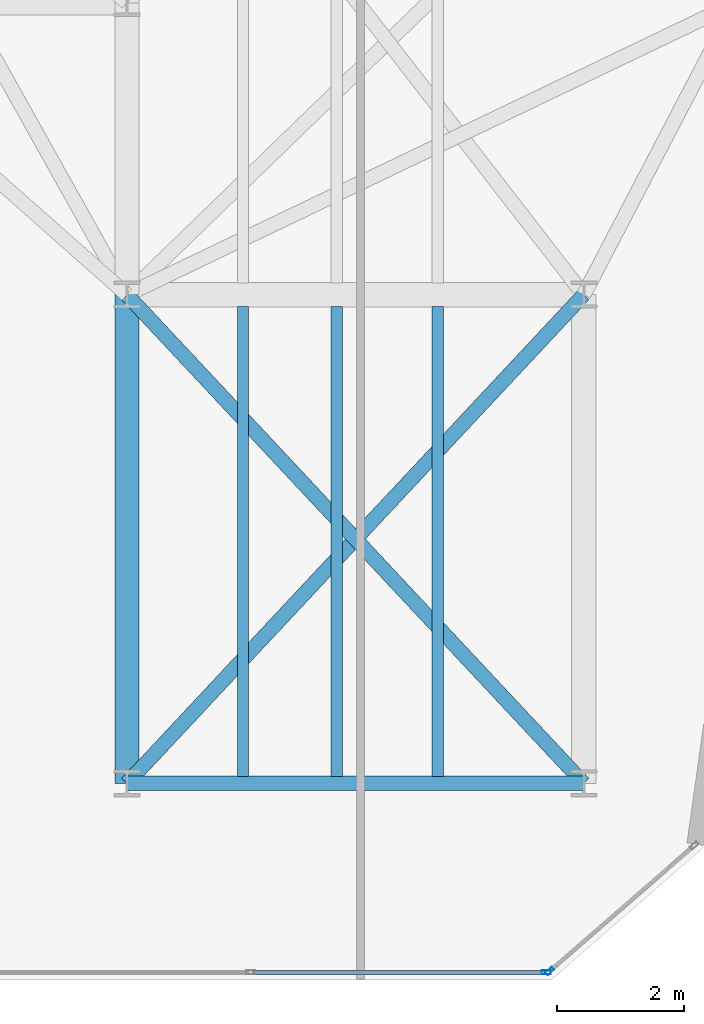
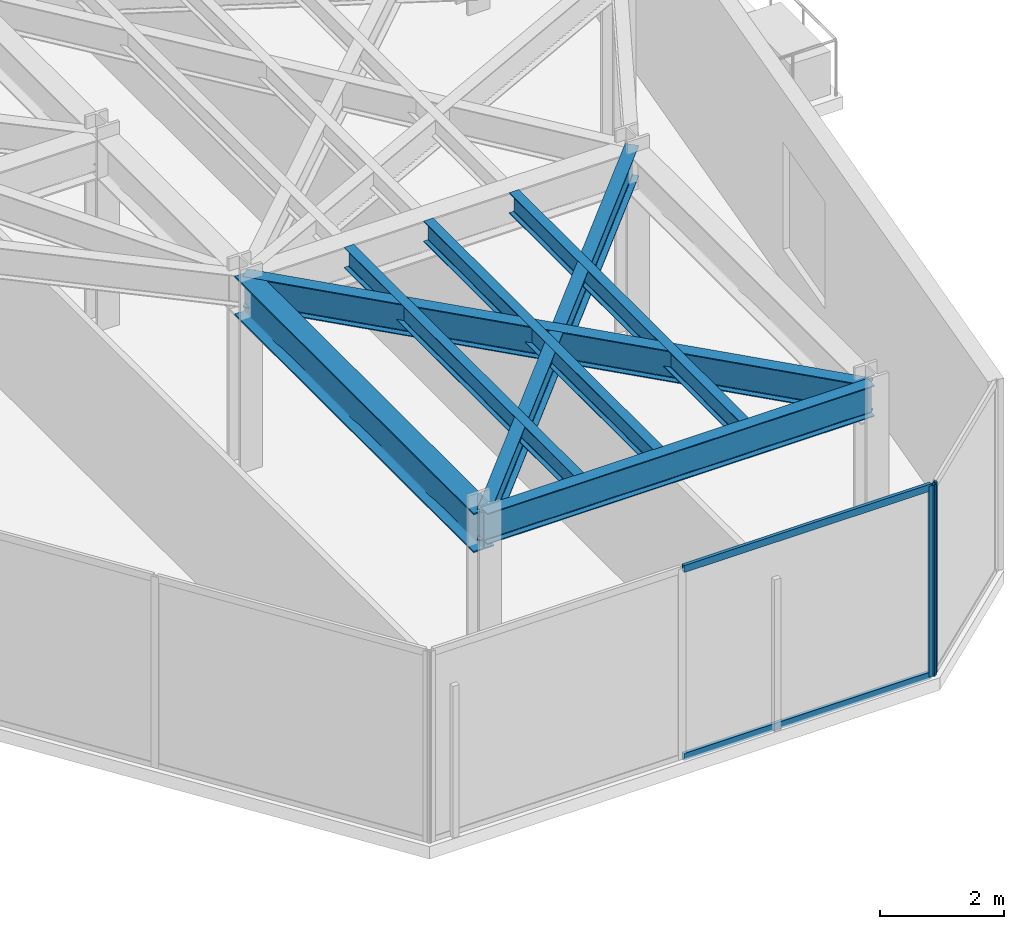
# One storey, part 11 of 21: 7 beams, 4 members, 2 elements without a shape of their own.
"""IFC4 building model written with IfcOpenShell, lengths in metres."""

from ifc_helpers import new_model, si_unit, direction, frame, origin, origin_2d, place, context, subcontext, project, spatial, hollow_rectangle, i_section, extrude, material, layer, layer_set, material_profile, profile_set, type_object, element, aggregate, save


model = new_model("IFC4")

# Units and contexts
model_context = context("Model", 3, precision=1e-05, world=origin(), true_north=direction((0.0, 1.0)))
body_context = subcontext(model_context, "Body", "Model", "MODEL_VIEW")
ifc_project = project(units=[si_unit("LENGTHUNIT", "METRE"), si_unit("AREAUNIT", "SQUARE_METRE"), si_unit("VOLUMEUNIT", "CUBIC_METRE"), si_unit("PLANEANGLEUNIT", "RADIAN"), si_unit("MASSUNIT", "GRAM", prefix="KILO")], contexts=[model_context])

# Site, building, storey
site_placement = place(None, origin())
site = spatial("IfcSite", under=ifc_project, at=site_placement, CompositionType="ELEMENT")
building_placement = place(site_placement, origin())
building = spatial("IfcBuilding", under=site, at=building_placement, Name="Kravanh Interchange Tower", CompositionType="ELEMENT")
storey_placement = place(building_placement, frame((0.0, 0.0, 176.5)))
storey = spatial("IfcBuildingStorey", under=building, at=storey_placement, Name="L42", CompositionType="ELEMENT", Elevation=176.5)

# Curtain wall, member
ifc_material_1 = material(Name="Anodised Bronze Aluminium", Category="aluminium")
ifc_layer = layer(ifc_material_1, 0.179931640625)
ifc_layer_set = layer_set([ifc_layer], Name="Unitised Curtain Wall System CW-Z3 Upper Office")
curtain_wall_type = type_object("IfcCurtainWallType", Name="Unitised Curtain Wall System CW-Z3 Upper Office", PredefinedType="NOTDEFINED", material=ifc_layer_set)
curtain_wall_1_placement = place(storey_placement, origin())
curtain_wall_1 = element("IfcCurtainWall", 1, at=curtain_wall_1_placement, inside=storey, type_object=curtain_wall_type, Name="L42 Unitised Curtain Wall CW-L42-01", PredefinedType="NOTDEFINED")
ifc_material_2 = material(Name="Anodised Bronze Aluminium", Category="aluminium")
ifc_material_profile_1 = material_profile(ifc_material_2, hollow_rectangle(XDim=0.06005859375, YDim=0.139892578125, WallThickness=0.00390625, at=origin_2d()), Name="ALU60X140X4")
ifc_profile_set_1 = profile_set([ifc_material_profile_1], Name="Anodised Bronze Aluminium")
member_type_1 = type_object("IfcMemberType", Name="Curtain Wall Mullion ALU60X140X4 Bronze", PredefinedType="MULLION", material=ifc_profile_set_1)
member_1_placement = place(storey_placement, frame((62.66357421875, 11.539794921875, 0.0), z_axis=(0.0, 0.0, 1.0), x_axis=(0.65605090137, -0.754716645379, 0.0)))
member_1 = element("IfcMember", 2, at=member_1_placement, type_object=member_type_1, Name="CW-Z3 mullion 2", PredefinedType="MULLION", context=body_context, shape_type="SweptSolid", body=[
    extrude(hollow_rectangle(XDim=0.06005859375, YDim=0.139892578125, WallThickness=0.00390625, at=origin_2d()), origin(), (0.0, 0.0, 1.0), 3.7548828125),
])
aggregate(curtain_wall_1, [member_1])

# Curtain wall, members
curtain_wall_2_placement = place(storey_placement, origin())
curtain_wall_2 = element("IfcCurtainWall", 3, at=curtain_wall_2_placement, inside=storey, type_object=curtain_wall_type, Name="L42 Unitised Curtain Wall CW-L42-02", PredefinedType="NOTDEFINED")
member_2_placement = place(storey_placement, frame((62.611083984375, 11.52001953125, 0.0), z_axis=(0.0, 0.0, 1.0), x_axis=(0.0, -1.0, 0.0)))
member_2 = element("IfcMember", 4, at=member_2_placement, type_object=member_type_1, Name="CW-Z3 mullion 1", PredefinedType="MULLION", context=body_context, shape_type="SweptSolid", body=[
    extrude(hollow_rectangle(XDim=0.06005859375, YDim=0.139892578125, WallThickness=0.00390625, at=origin_2d()), origin(), (0.0, 0.0, 1.0), 3.7548828125),
])
ifc_material_3 = material(Name="Anodised Bronze Aluminium", Category="aluminium")
ifc_material_profile_2 = material_profile(ifc_material_3, hollow_rectangle(XDim=0.06005859375, YDim=0.139892578125, WallThickness=0.00390625, at=origin_2d()), Name="ALU60X140X4")
ifc_profile_set_2 = profile_set([ifc_material_profile_2], Name="Anodised Bronze Aluminium")
member_type_2 = type_object("IfcMemberType", Name="Curtain Wall Transom ALU60X140X4 Bronze", PredefinedType="USERDEFINED", material=ifc_profile_set_2)
member_3_placement = place(storey_placement, frame((62.5810546875, 11.52001953125, 0.030029296875), z_axis=(-1.0, 0.0, 0.0), x_axis=(0.0, -1.0, 0.0)))
member_3 = element("IfcMember", 5, at=member_3_placement, type_object=member_type_2, Name="CW-Z3 transom 1.1", ObjectType="TRANSOM", PredefinedType="USERDEFINED", context=body_context, shape_type="SweptSolid", body=[
    extrude(hollow_rectangle(XDim=0.06005859375, YDim=0.139892578125, WallThickness=0.00390625, at=origin_2d()), origin(), (0.0, 0.0, 1.0), 4.59912109375),
])
member_4_placement = place(storey_placement, frame((62.5810546875, 11.52001953125, 3.72509765625), z_axis=(-1.0, 0.0, 0.0), x_axis=(0.0, -1.0, 0.0)))
member_4 = element("IfcMember", 6, at=member_4_placement, type_object=member_type_2, Name="CW-Z3 transom 1.2", ObjectType="TRANSOM", PredefinedType="USERDEFINED", context=body_context, shape_type="SweptSolid", body=[
    extrude(hollow_rectangle(XDim=0.06005859375, YDim=0.139892578125, WallThickness=0.00390625, at=origin_2d()), origin(), (0.0, 0.0, 1.0), 4.59912109375),
])
aggregate(curtain_wall_2, [member_2, member_3, member_4])

# Beams
ifc_material_4 = material(Name="Structural Steel S355", Category="steel")
ifc_material_profile_3 = material_profile(ifc_material_4, i_section(OverallWidth=0.381103515625, OverallDepth=0.77294921875, WebThickness=0.0166015625, FlangeThickness=0.027099609375, FilletRadius=0.02490234375, at=origin_2d()), Name="W30X173")
ifc_profile_set_3 = profile_set([ifc_material_profile_3], Name="Structural Steel S355")
beam_type_1 = type_object("IfcBeamType", Name="Floor Beam W30X173 Structural Steel S355", PredefinedType="BEAM", material=ifc_profile_set_3)
beam_1_placement = place(storey_placement, frame((56.0, 14.5, 3.368408203125), z_axis=(0.0, 1.0, 0.0), x_axis=(-1.0, 0.0, 0.0)))
element("IfcBeam", 7, at=beam_1_placement, inside=storey, type_object=beam_type_1, Name="L42 Primary Floor Girder 87", PredefinedType="BEAM", context=body_context, shape_type="SweptSolid", body=[
    extrude(i_section(OverallWidth=0.381103515625, OverallDepth=0.77294921875, WebThickness=0.0166015625, FlangeThickness=0.027099609375, FilletRadius=0.02490234375, at=origin_2d()), origin(), (0.0, 0.0, 1.0), 7.699951171875),
])
ifc_material_5 = material(Name="Structural Steel S355", Category="steel")
ifc_material_profile_4 = material_profile(ifc_material_5, i_section(OverallWidth=0.177978515625, OverallDepth=0.406005859375, WebThickness=0.0078125, FlangeThickness=0.0126953125, FilletRadius=0.01611328125, at=origin_2d()), Name="W16X40")
ifc_profile_set_4 = profile_set([ifc_material_profile_4], Name="Structural Steel S355")
beam_type_2 = type_object("IfcBeamType", Name="Floor Joist W16X40 Structural Steel S355", PredefinedType="JOIST", material=ifc_profile_set_4)
for number, where, z_axis, x_axis, name in (
    (8, (57.830078125, 14.60888671875, 3.552001953125), (0.0, 1.0, 0.0), (-1.0, 0.0, 0.0), "L42 Secondary Floor Joist 4"),
    (9, (59.304931640625, 14.60888671875, 3.552001953125), (0.0, 1.0, 0.0), (-1.0, 0.0, 0.0), "L42 Secondary Floor Joist 5"),
    (10, (60.89794921875, 14.60888671875, 3.552001953125), (0.0, 1.0, 0.0), (-1.0, 0.0, 0.0), "L42 Secondary Floor Joist 6"),
):
    element("IfcBeam", number, at=place(storey_placement, frame(where, z_axis=z_axis, x_axis=x_axis)), inside=storey, type_object=beam_type_2, Name=name, PredefinedType="JOIST", context=body_context, shape_type="SweptSolid", body=[
        extrude(i_section(OverallWidth=0.177978515625, OverallDepth=0.406005859375, WebThickness=0.0078125, FlangeThickness=0.0126953125, FilletRadius=0.01611328125, at=origin_2d()), origin(), (0.0, 0.0, 1.0), 7.405517578125),
    ])
ifc_material_6 = material(Name="Structural Steel S355", Category="steel")
ifc_material_profile_5 = material_profile(ifc_material_6, i_section(OverallWidth=0.22802734375, OverallDepth=0.60791015625, WebThickness=0.01123046875, FlangeThickness=0.017333984375, FilletRadius=0.02197265625, at=origin_2d()), Name="W24X76")
ifc_profile_set_5 = profile_set([ifc_material_profile_5], Name="Structural Steel S355")
beam_type_3 = type_object("IfcBeamType", Name="Floor Spandrel W24X76 Structural Steel S355", PredefinedType="SPANDREL", material=ifc_profile_set_5)
beam_2_placement = place(storey_placement, frame((56.0, 14.5, 3.450927734375), z_axis=(1.0, 0.0, 0.0), x_axis=(0.0, 1.0, 0.0)))
element("IfcBeam", 11, at=beam_2_placement, inside=storey, type_object=beam_type_3, Name="L42 Perimeter Spandrel 86", PredefinedType="SPANDREL", context=body_context, shape_type="SweptSolid", body=[
    extrude(i_section(OverallWidth=0.22802734375, OverallDepth=0.60791015625, WebThickness=0.01123046875, FlangeThickness=0.017333984375, FilletRadius=0.02197265625, at=origin_2d()), origin(), (0.0, 0.0, 1.0), 7.199951171875),
])
for number, where, z_axis, x_axis, name in (
    (12, (56.0, 14.5, 3.450927734375), (0.682993762113, 0.73042420614, 0.0), (-0.73042420614, 0.682993762113, 0.0), "L42 Perimeter Spandrel 88"),
    (13, (63.199951171875, 14.5, 3.450927734375), (-0.682993762113, 0.73042420614, 0.0), (-0.73042420614, -0.682993762113, 0.0), "L42 Perimeter Spandrel 90"),
):
    element("IfcBeam", number, at=place(storey_placement, frame(where, z_axis=z_axis, x_axis=x_axis)), inside=storey, type_object=beam_type_3, Name=name, PredefinedType="SPANDREL", context=body_context, shape_type="SweptSolid", body=[
        extrude(i_section(OverallWidth=0.22802734375, OverallDepth=0.60791015625, WebThickness=0.01123046875, FlangeThickness=0.017333984375, FilletRadius=0.02197265625, at=origin_2d()), origin(), (0.0, 0.0, 1.0), 10.541748046875),
    ])

save(model, "model.ifc")
